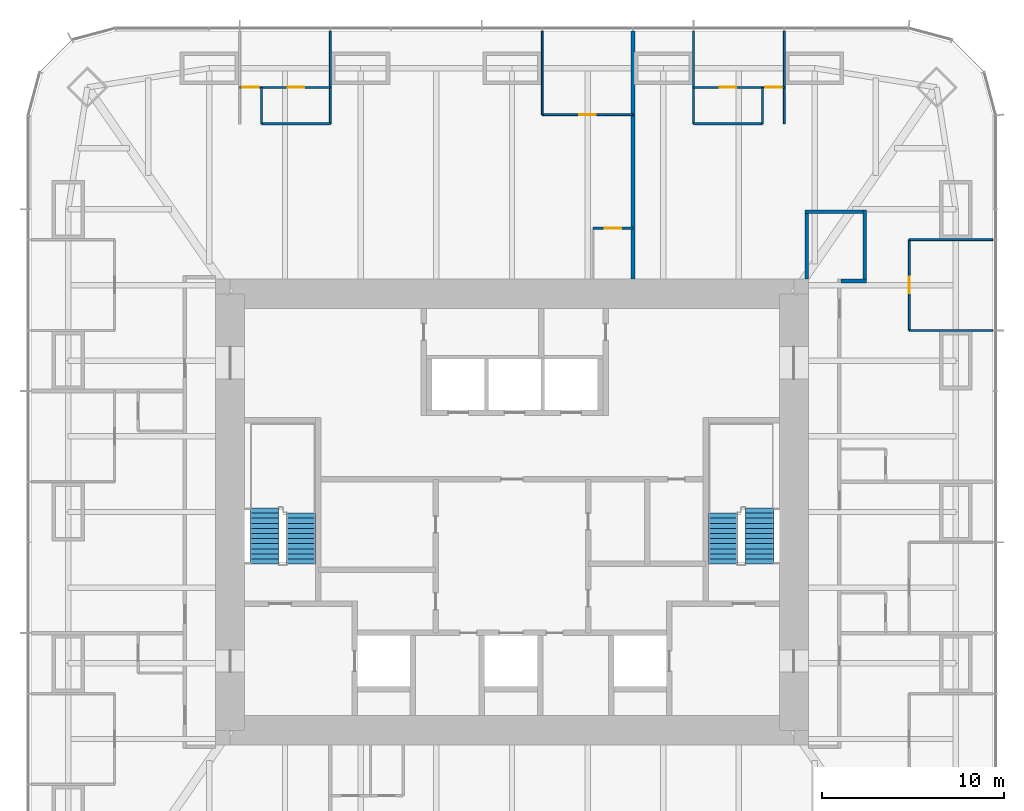
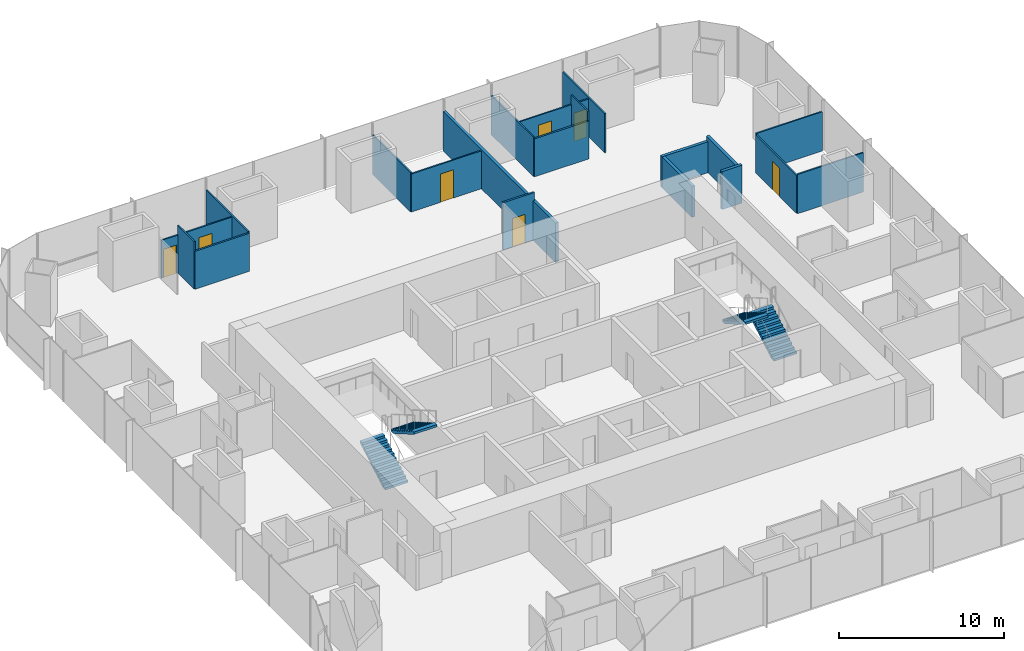
# One storey, part 11 of 12: 20 walls, 7 doors, 4 stair flights, 7 openings, 2 elements without a shape of their own.
"""IFC4 building model written with IfcOpenShell, lengths in metres."""

from ifc_helpers import new_model, si_unit, direction, frame, frame_2d, origin, place, context, subcontext, project, spatial, polyline, rectangle, outline, extrude, material, layer, layer_set, type_object, element, fill, aggregate, save


model = new_model("IFC4")

# Units and contexts
model_context = context("Model", 3, precision=1e-05, world=origin(), true_north=direction((0.0, 1.0)))
body_context = subcontext(model_context, "Body", "Model", "MODEL_VIEW")
ifc_project = project(units=[si_unit("LENGTHUNIT", "METRE"), si_unit("AREAUNIT", "SQUARE_METRE"), si_unit("VOLUMEUNIT", "CUBIC_METRE"), si_unit("PLANEANGLEUNIT", "RADIAN"), si_unit("MASSUNIT", "GRAM", prefix="KILO")], contexts=[model_context])

# Site, building, storey
site_placement = place(None, origin())
site = spatial("IfcSite", under=ifc_project, at=site_placement, CompositionType="ELEMENT")
building_placement = place(site_placement, origin())
building = spatial("IfcBuilding", under=site, at=building_placement, Name="Khuree Lantern Residences", CompositionType="ELEMENT")
storey_placement = place(building_placement, frame((0.0, 0.0, 210.75)))
storey = spatial("IfcBuildingStorey", under=building, at=storey_placement, Name="L52", CompositionType="ELEMENT", Elevation=210.75)

# Walls
ifc_material_1 = material(Name="Moisture-resistant gypsum board on steel studs", Category="steel")
ifc_layer_1 = layer(ifc_material_1, 0.125)
ifc_layer_set_1 = layer_set([ifc_layer_1], Name="BATHROOM WALL BTW125")
wall_type_1 = type_object("IfcWallType", Name="BATHROOM WALL BTW125", PredefinedType="PARTITIONING", material=ifc_layer_set_1)
for number, where, z_axis, x_axis, name in (
    (1, (13.77587890625, 21.344970703125, 0.0), (0.0, 0.0, 1.0), (-1.0, 0.0, 0.0), "L52 BATHROOM WALL 02"),
    (2, (-9.98388671875, 21.344970703125, 0.0), (0.0, 0.0, 1.0), (-1.0, 0.0, 0.0), "L52 BATHROOM WALL 03"),
):
    element("IfcWall", number, at=place(storey_placement, frame(where, z_axis=z_axis, x_axis=x_axis)), inside=storey, type_object=wall_type_1, Name=name, PredefinedType="PARTITIONING", context=body_context, shape_type="SweptSolid", body=[
        extrude(rectangle(XDim=3.7919921875, YDim=0.125, at=frame_2d((1.89599609375, 0.0))), origin(), (0.0, 0.0, 1.0), 2.81005859375),
    ])

# Wall, opening, door
wall_1_placement = place(storey_placement, frame((6.656005859375, 15.60009765625, 0.0), z_axis=(0.0, 0.0, 1.0), x_axis=(-1.0, 0.0, 0.0)))
wall_1 = element("IfcWall", 3, at=wall_1_placement, inside=storey, type_object=wall_type_1, Name="L52 BATHROOM WALL 03", PredefinedType="PARTITIONING", context=body_context, shape_type="SweptSolid", body=[
    extrude(rectangle(XDim=2.199951171875, YDim=0.125, at=frame_2d((1.10009765625, 0.0))), origin(), (0.0, 0.0, 1.0), 3.5),
])
opening_1_placement = place(wall_1_placement, frame((0.64990234375, 0.0, 0.0)))
opening_1 = element("IfcOpeningElement", 4, at=opening_1_placement, cuts=wall_1, Name="Opening 52-035", PredefinedType="OPENING", context=body_context, shape_type="SweptSolid", body=[
    extrude(rectangle(XDim=0.89990234375, YDim=2.10009765625, at=frame_2d((0.449951171875, 1.050048828125))), frame((0.0, 0.072509765625, 0.0), z_axis=(0.0, -1.0, 0.0), x_axis=(1.0, 0.0, 0.0)), (0.0, 0.0, 1.0), 0.14501953125),
])
ifc_material_2 = material(Name="Timber door leaf in hardwood frame", Category="wood")
door_type_1 = type_object("IfcDoorType", Name="BATHROOM DOOR 900X2100", OperationType="SINGLE_SWING_LEFT", PredefinedType="DOOR", material=ifc_material_2)
door_1_placement = place(opening_1_placement, origin())
door_1 = element("IfcDoor", 5, at=door_1_placement, inside=storey, type_object=door_type_1, Name="Bathroom door 52-035", OperationType="SINGLE_SWING_LEFT", OverallHeight=2.10009765625, OverallWidth=0.89990234375, PredefinedType="DOOR", context=body_context, shape_type="SweptSolid", body=[
    extrude(rectangle(XDim=0.89990234375, YDim=2.10009765625, at=frame_2d((0.449951171875, 1.050048828125))), frame((0.0, 0.02490234375, 0.0), z_axis=(0.0, -1.0, 0.0), x_axis=(1.0, 0.0, 0.0)), (0.0, 0.0, 1.0), 0.050048828125),
])
fill(opening_1, door_1)

# Walls
ifc_material_3 = material(Name="Gypsum board on steel studs", Category="steel")
ifc_layer_2 = layer(ifc_material_3, 0.199951171875)
ifc_layer_set_2 = layer_set([ifc_layer_2], Name="CORRIDOR WALL CRW200 EI 60")
wall_type_2 = type_object("IfcWallType", Name="CORRIDOR WALL CRW200 EI 60", PredefinedType="PARTITIONING", material=ifc_layer_set_2)
wall_2_placement = place(storey_placement, frame((18.10009765625, 12.699951171875, 0.0), z_axis=(0.0, 0.0, 1.0), x_axis=(1.0, 0.0, 0.0)))
element("IfcWall", 6, at=wall_2_placement, inside=storey, type_object=wall_type_2, Name="L52 RESIDENTS LOUNGE WALL", PredefinedType="PARTITIONING", context=body_context, shape_type="SweptSolid", body=[
    extrude(rectangle(XDim=1.39990234375, YDim=0.199951171875, at=frame_2d((0.699951171875, 0.0))), origin(), (0.0, 0.0, 1.0), 2.81005859375),
])
wall_3_placement = place(storey_placement, frame((19.39990234375, 12.60009765625, 0.0), z_axis=(0.0, 0.0, 1.0), x_axis=(0.0, 1.0, 0.0)))
element("IfcWall", 7, at=wall_3_placement, inside=storey, type_object=wall_type_2, Name="L52 RESIDENTS LOUNGE WALL", PredefinedType="PARTITIONING", context=body_context, shape_type="SweptSolid", body=[
    extrude(rectangle(XDim=4.0, YDim=0.199951171875, at=frame_2d((2.0, 0.0))), origin(), (0.0, 0.0, 1.0), 2.60009765625),
])
wall_4_placement = place(storey_placement, frame((19.300048828125, 16.5, 0.0), z_axis=(0.0, 0.0, 1.0), x_axis=(-1.0, 0.0, 0.0)))
element("IfcWall", 8, at=wall_4_placement, inside=storey, type_object=wall_type_2, Name="L52 RESIDENTS LOUNGE WALL", PredefinedType="PARTITIONING", context=body_context, shape_type="SweptSolid", body=[
    extrude(rectangle(XDim=3.199951171875, YDim=0.199951171875, at=frame_2d((1.60009765625, 0.0))), origin(), (0.0, 0.0, 1.0), 2.300048828125),
])
wall_5_placement = place(storey_placement, frame((16.199951171875, 16.60009765625, 0.0), z_axis=(0.0, 0.0, 1.0), x_axis=(0.0, -1.0, 0.0)))
element("IfcWall", 9, at=wall_5_placement, inside=storey, type_object=wall_type_2, Name="L52 RESIDENTS LOUNGE WALL", PredefinedType="PARTITIONING", context=body_context, shape_type="SweptSolid", body=[
    extrude(rectangle(XDim=3.800048828125, YDim=0.199951171875, at=frame_2d((1.89990234375, 0.0))), origin(), (0.0, 0.0, 1.0), 2.300048828125),
])
ifc_layer_3 = layer(ifc_material_3, 0.199951171875)
ifc_layer_set_3 = layer_set([ifc_layer_3], Name="DEMISING WALL DMW200 EI 90")
wall_type_3 = type_object("IfcWallType", Name="DEMISING WALL DMW200 EI 90", PredefinedType="PARTITIONING", material=ifc_layer_set_3)
wall_6_placement = place(storey_placement, frame((6.656005859375, 12.800048828125, 0.0), z_axis=(0.0, 0.0, 1.0), x_axis=(0.0, 1.0, 0.0)))
element("IfcWall", 10, at=wall_6_placement, inside=storey, type_object=wall_type_3, Name="L52 DEMISING WALL 03", PredefinedType="PARTITIONING", context=body_context, shape_type="SweptSolid", body=[
    extrude(rectangle(XDim=13.64990234375, YDim=0.199951171875, at=frame_2d((6.824951171875, 0.0))), origin(), (0.0, 0.0, 1.0), 2.909912109375),
])
ifc_layer_4 = layer(ifc_material_3, 0.10009765625)
ifc_layer_set_4 = layer_set([ifc_layer_4], Name="PARTITION PT100")
wall_type_4 = type_object("IfcWallType", Name="PARTITION PT100", PredefinedType="PARTITIONING", material=ifc_layer_set_4)
for number, where, z_axis, x_axis, name in (
    (11, (21.85009765625, 9.98388671875, 0.0), (0.0, 0.0, 1.0), (1.0, 0.0, 0.0), "L52 PARTITION 02"),
    (12, (21.85009765625, 14.97607421875, 0.0), (0.0, 0.0, 1.0), (1.0, 0.0, 0.0), "L52 PARTITION 02"),
):
    element("IfcWall", number, at=place(storey_placement, frame(where, z_axis=z_axis, x_axis=x_axis)), inside=storey, type_object=wall_type_4, Name=name, PredefinedType="PARTITIONING", context=body_context, shape_type="SweptSolid", body=[
        extrude(rectangle(XDim=4.599853515625, YDim=0.10009765625, at=frame_2d((2.2998046875, 0.0))), origin(), (0.0, 0.0, 1.0), 2.909912109375),
    ])
for number, where, z_axis, x_axis, name in (
    (13, (14.97607421875, 21.344970703125, 0.0), (0.0, 0.0, 1.0), (0.0, 1.0, 0.0), "L52 PARTITION 02"),
    (14, (9.98388671875, 21.344970703125, 0.0), (0.0, 0.0, 1.0), (0.0, 1.0, 0.0), "L52 PARTITION 02"),
):
    element("IfcWall", number, at=place(storey_placement, frame(where, z_axis=z_axis, x_axis=x_axis)), inside=storey, type_object=wall_type_4, Name=name, PredefinedType="PARTITIONING", context=body_context, shape_type="SweptSolid", body=[
        extrude(rectangle(XDim=5.10498046875, YDim=0.10009765625, at=frame_2d((2.552490234375, 0.0))), origin(), (0.0, 0.0, 1.0), 2.909912109375),
    ])
wall_7_placement = place(storey_placement, frame((1.6640625, 21.85009765625, 0.0), z_axis=(0.0, 0.0, 1.0), x_axis=(0.0, 1.0, 0.0)))
element("IfcWall", 15, at=wall_7_placement, inside=storey, type_object=wall_type_4, Name="L52 PARTITION 03", PredefinedType="PARTITIONING", context=body_context, shape_type="SweptSolid", body=[
    extrude(rectangle(XDim=4.599853515625, YDim=0.10009765625, at=frame_2d((2.2998046875, 0.0))), origin(), (0.0, 0.0, 1.0), 2.909912109375),
])
wall_8_placement = place(storey_placement, frame((-9.98388671875, 21.344970703125, 0.0), z_axis=(0.0, 0.0, 1.0), x_axis=(0.0, 1.0, 0.0)))
element("IfcWall", 16, at=wall_8_placement, inside=storey, type_object=wall_type_4, Name="L52 PARTITION 03", PredefinedType="PARTITIONING", context=body_context, shape_type="SweptSolid", body=[
    extrude(rectangle(XDim=5.10498046875, YDim=0.10009765625, at=frame_2d((2.552490234375, 0.0))), origin(), (0.0, 0.0, 1.0), 2.909912109375),
])

# Wall, opening, door
wall_9_placement = place(storey_placement, frame((21.85009765625, 9.98388671875, 0.0), z_axis=(0.0, 0.0, 1.0), x_axis=(0.0, 1.0, 0.0)))
wall_9 = element("IfcWall", 17, at=wall_9_placement, inside=storey, type_object=wall_type_4, Name="L52 PARTITION 02", PredefinedType="PARTITIONING", context=body_context, shape_type="SweptSolid", body=[
    extrude(rectangle(XDim=4.9921875, YDim=0.10009765625, at=frame_2d((2.49609375, 0.0))), origin(), (0.0, 0.0, 1.0), 2.81005859375),
])
opening_2_placement = place(wall_9_placement, frame((2.0458984375, 0.0, 0.0)))
opening_2 = element("IfcOpeningElement", 18, at=opening_2_placement, cuts=wall_9, Name="Opening 52-026", PredefinedType="OPENING", context=body_context, shape_type="SweptSolid", body=[
    extrude(rectangle(XDim=0.89990234375, YDim=2.10009765625, at=frame_2d((0.449951171875, 1.050048828125))), frame((0.0, 0.06005859375, 0.0), z_axis=(0.0, -1.0, 0.0), x_axis=(1.0, 0.0, 0.0)), (0.0, 0.0, 1.0), 0.1201171875),
])
door_type_2 = type_object("IfcDoorType", Name="BEDROOM DOOR 900X2100", OperationType="SINGLE_SWING_LEFT", PredefinedType="DOOR", material=ifc_material_2)
door_2_placement = place(opening_2_placement, origin())
door_2 = element("IfcDoor", 19, at=door_2_placement, inside=storey, type_object=door_type_2, Name="Bedroom door 52-026", OperationType="SINGLE_SWING_LEFT", OverallHeight=2.10009765625, OverallWidth=0.89990234375, PredefinedType="DOOR", context=body_context, shape_type="SweptSolid", body=[
    extrude(rectangle(XDim=0.89990234375, YDim=2.10009765625, at=frame_2d((0.449951171875, 1.050048828125))), frame((0.0, 0.02490234375, 0.0), z_axis=(0.0, -1.0, 0.0), x_axis=(1.0, 0.0, 0.0)), (0.0, 0.0, 1.0), 0.050048828125),
])
fill(opening_2, door_2)

# Wall, openings, doors
wall_10_placement = place(storey_placement, frame((14.97607421875, 23.344970703125, 0.0), z_axis=(0.0, 0.0, 1.0), x_axis=(-1.0, 0.0, 0.0)))
wall_10 = element("IfcWall", 20, at=wall_10_placement, inside=storey, type_object=wall_type_4, Name="L52 PARTITION 02", PredefinedType="PARTITIONING", context=body_context, shape_type="SweptSolid", body=[
    extrude(rectangle(XDim=4.9921875, YDim=0.10009765625, at=frame_2d((2.49609375, 0.0))), origin(), (0.0, 0.0, 1.0), 2.81005859375),
])
opening_3_placement = place(wall_10_placement, frame((0.14990234375, 0.0, 0.0)))
opening_3 = element("IfcOpeningElement", 21, at=opening_3_placement, cuts=wall_10, Name="Opening 52-027", PredefinedType="OPENING", context=body_context, shape_type="SweptSolid", body=[
    extrude(rectangle(XDim=0.89990234375, YDim=2.10009765625, at=frame_2d((0.449951171875, 1.050048828125))), frame((0.0, 0.06005859375, 0.0), z_axis=(0.0, -1.0, 0.0), x_axis=(1.0, 0.0, 0.0)), (0.0, 0.0, 1.0), 0.1201171875),
])
opening_4_placement = place(wall_10_placement, frame((2.64599609375, 0.0, 0.0)))
opening_4 = element("IfcOpeningElement", 22, at=opening_4_placement, cuts=wall_10, Name="Opening 52-028", PredefinedType="OPENING", context=body_context, shape_type="SweptSolid", body=[
    extrude(rectangle(XDim=0.89990234375, YDim=2.10009765625, at=frame_2d((0.449951171875, 1.050048828125))), frame((0.0, 0.06005859375, 0.0), z_axis=(0.0, -1.0, 0.0), x_axis=(1.0, 0.0, 0.0)), (0.0, 0.0, 1.0), 0.1201171875),
])
door_3_placement = place(opening_4_placement, origin())
door_3 = element("IfcDoor", 23, at=door_3_placement, inside=storey, type_object=door_type_1, Name="Bathroom door 52-028", OperationType="SINGLE_SWING_LEFT", OverallHeight=2.10009765625, OverallWidth=0.89990234375, PredefinedType="DOOR", context=body_context, shape_type="SweptSolid", body=[
    extrude(rectangle(XDim=0.89990234375, YDim=2.10009765625, at=frame_2d((0.449951171875, 1.050048828125))), frame((0.0, 0.02490234375, 0.0), z_axis=(0.0, -1.0, 0.0), x_axis=(1.0, 0.0, 0.0)), (0.0, 0.0, 1.0), 0.050048828125),
])
fill(opening_4, door_3)
door_4_placement = place(opening_3_placement, origin())
door_4 = element("IfcDoor", 24, at=door_4_placement, inside=storey, type_object=door_type_2, Name="Bedroom door 52-027", OperationType="SINGLE_SWING_LEFT", OverallHeight=2.10009765625, OverallWidth=0.89990234375, PredefinedType="DOOR", context=body_context, shape_type="SweptSolid", body=[
    extrude(rectangle(XDim=0.89990234375, YDim=2.10009765625, at=frame_2d((0.449951171875, 1.050048828125))), frame((0.0, 0.02490234375, 0.0), z_axis=(0.0, -1.0, 0.0), x_axis=(1.0, 0.0, 0.0)), (0.0, 0.0, 1.0), 0.050048828125),
])
fill(opening_3, door_4)

# Wall
wall_11_placement = place(storey_placement, frame((13.77587890625, 21.344970703125, 0.0), z_axis=(0.0, 0.0, 1.0), x_axis=(0.0, 1.0, 0.0)))
element("IfcWall", 25, at=wall_11_placement, inside=storey, type_object=wall_type_4, Name="L52 PARTITION 02", PredefinedType="PARTITIONING", context=body_context, shape_type="SweptSolid", body=[
    extrude(rectangle(XDim=2.0, YDim=0.10009765625, at=frame_2d((1.0, 0.0))), origin(), (0.0, 0.0, 1.0), 3.5),
])

# Wall, opening, door
wall_12_placement = place(storey_placement, frame((6.656005859375, 21.85009765625, 0.0), z_axis=(0.0, 0.0, 1.0), x_axis=(-1.0, 0.0, 0.0)))
wall_12 = element("IfcWall", 26, at=wall_12_placement, inside=storey, type_object=wall_type_4, Name="L52 PARTITION 03", PredefinedType="PARTITIONING", context=body_context, shape_type="SweptSolid", body=[
    extrude(rectangle(XDim=4.991943359375, YDim=0.10009765625, at=frame_2d((2.49609375, 0.0))), origin(), (0.0, 0.0, 1.0), 2.81005859375),
])
opening_5_placement = place(wall_12_placement, frame((2.0458984375, 0.0, 0.0)))
opening_5 = element("IfcOpeningElement", 27, at=opening_5_placement, cuts=wall_12, Name="Opening 52-031", PredefinedType="OPENING", context=body_context, shape_type="SweptSolid", body=[
    extrude(rectangle(XDim=0.89990234375, YDim=2.10009765625, at=frame_2d((0.449951171875, 1.050048828125))), frame((0.0, 0.06005859375, 0.0), z_axis=(0.0, -1.0, 0.0), x_axis=(1.0, 0.0, 0.0)), (0.0, 0.0, 1.0), 0.1201171875),
])
door_5_placement = place(opening_5_placement, origin())
door_5 = element("IfcDoor", 28, at=door_5_placement, inside=storey, type_object=door_type_2, Name="Bedroom door 52-031", OperationType="SINGLE_SWING_LEFT", OverallHeight=2.10009765625, OverallWidth=0.89990234375, PredefinedType="DOOR", context=body_context, shape_type="SweptSolid", body=[
    extrude(rectangle(XDim=0.89990234375, YDim=2.10009765625, at=frame_2d((0.449951171875, 1.050048828125))), frame((0.0, 0.02490234375, 0.0), z_axis=(0.0, -1.0, 0.0), x_axis=(1.0, 0.0, 0.0)), (0.0, 0.0, 1.0), 0.050048828125),
])
fill(opening_5, door_5)

# Wall, openings, doors
wall_13_placement = place(storey_placement, frame((-9.98388671875, 23.344970703125, 0.0), z_axis=(0.0, 0.0, 1.0), x_axis=(-1.0, 0.0, 0.0)))
wall_13 = element("IfcWall", 29, at=wall_13_placement, inside=storey, type_object=wall_type_4, Name="L52 PARTITION 03", PredefinedType="PARTITIONING", context=body_context, shape_type="SweptSolid", body=[
    extrude(rectangle(XDim=4.9921875, YDim=0.10009765625, at=frame_2d((2.49609375, 0.0))), origin(), (0.0, 0.0, 1.0), 2.81005859375),
])
opening_6_placement = place(wall_13_placement, frame((3.94189453125, 0.0, 0.0)))
opening_6 = element("IfcOpeningElement", 30, at=opening_6_placement, cuts=wall_13, Name="Opening 52-032", PredefinedType="OPENING", context=body_context, shape_type="SweptSolid", body=[
    extrude(rectangle(XDim=0.89990234375, YDim=2.10009765625, at=frame_2d((0.449951171875, 1.050048828125))), frame((0.0, 0.06005859375, 0.0), z_axis=(0.0, -1.0, 0.0), x_axis=(1.0, 0.0, 0.0)), (0.0, 0.0, 1.0), 0.1201171875),
])
opening_7_placement = place(wall_13_placement, frame((1.446044921875, 0.0, 0.0)))
opening_7 = element("IfcOpeningElement", 31, at=opening_7_placement, cuts=wall_13, Name="Opening 52-033", PredefinedType="OPENING", context=body_context, shape_type="SweptSolid", body=[
    extrude(rectangle(XDim=0.89990234375, YDim=2.10009765625, at=frame_2d((0.449951171875, 1.050048828125))), frame((0.0, 0.06005859375, 0.0), z_axis=(0.0, -1.0, 0.0), x_axis=(1.0, 0.0, 0.0)), (0.0, 0.0, 1.0), 0.1201171875),
])
door_6_placement = place(opening_7_placement, origin())
door_6 = element("IfcDoor", 32, at=door_6_placement, inside=storey, type_object=door_type_1, Name="Bathroom door 52-033", OperationType="SINGLE_SWING_LEFT", OverallHeight=2.10009765625, OverallWidth=0.89990234375, PredefinedType="DOOR", context=body_context, shape_type="SweptSolid", body=[
    extrude(rectangle(XDim=0.89990234375, YDim=2.10009765625, at=frame_2d((0.449951171875, 1.050048828125))), frame((0.0, 0.02490234375, 0.0), z_axis=(0.0, -1.0, 0.0), x_axis=(1.0, 0.0, 0.0)), (0.0, 0.0, 1.0), 0.050048828125),
])
fill(opening_7, door_6)
door_7_placement = place(opening_6_placement, origin())
door_7 = element("IfcDoor", 33, at=door_7_placement, inside=storey, type_object=door_type_2, Name="Bedroom door 52-032", OperationType="SINGLE_SWING_LEFT", OverallHeight=2.10009765625, OverallWidth=0.89990234375, PredefinedType="DOOR", context=body_context, shape_type="SweptSolid", body=[
    extrude(rectangle(XDim=0.89990234375, YDim=2.10009765625, at=frame_2d((0.449951171875, 1.050048828125))), frame((0.0, 0.02490234375, 0.0), z_axis=(0.0, -1.0, 0.0), x_axis=(1.0, 0.0, 0.0)), (0.0, 0.0, 1.0), 0.050048828125),
])
fill(opening_6, door_7)

# Wall
wall_14_placement = place(storey_placement, frame((-13.77587890625, 21.344970703125, 0.0), z_axis=(0.0, 0.0, 1.0), x_axis=(0.0, 1.0, 0.0)))
element("IfcWall", 34, at=wall_14_placement, inside=storey, type_object=wall_type_4, Name="L52 PARTITION 03", PredefinedType="PARTITIONING", context=body_context, shape_type="SweptSolid", body=[
    extrude(rectangle(XDim=2.0, YDim=0.10009765625, at=frame_2d((1.0, 0.0))), origin(), (0.0, 0.0, 1.0), 3.5),
])

# Stair, stair flights
ifc_material_4 = material(Name="Concrete C40/50", Category="concrete")
stair_type = type_object("IfcStairType", Name="STAIR ST1 HALF TURN 3600", PredefinedType="HALF_TURN_STAIR", material=ifc_material_4)
stair_1_placement = place(storey_placement, origin())
stair_1 = element("IfcStair", 35, at=stair_1_placement, inside=storey, type_object=stair_type, Name="Stair ST1", PredefinedType="HALF_TURN_STAIR")
stair_flight_type = type_object("IfcStairFlightType", Name="STAIR FLIGHT SF1 1600", PredefinedType="STRAIGHT", material=ifc_material_4)
stair_flight_1_placement = place(storey_placement, frame((-13.60009765625, -2.860107421875, 0.0), z_axis=(0.0, 0.0, 1.0), x_axis=(0.0, 1.0, 0.0)))
stair_flight_1 = element("IfcStairFlight", 36, at=stair_flight_1_placement, type_object=stair_flight_type, Name="ST1 flight 1", NumberOfRisers=12, NumberOfTreads=11, PredefinedType="STRAIGHT", RiserHeight=0.163043478, TreadLength=0.28, context=body_context, shape_type="SweptSolid", body=[
    extrude(outline(polyline([(0.0, 0.0), (0.0, 0.1630859375), (0.280029296875, 0.1630859375), (0.280029296875, 0.326171875), (0.56005859375, 0.326171875), (0.56005859375, 0.489013671875), (0.840087890625, 0.489013671875), (0.840087890625, 0.652099609375), (1.1201171875, 0.652099609375), (1.1201171875, 0.815185546875), (1.39990234375, 0.815185546875), (1.39990234375, 0.978271484375), (1.679931640625, 0.978271484375), (1.679931640625, 1.141357421875), (1.9599609375, 1.141357421875), (1.9599609375, 1.304443359375), (2.239990234375, 1.304443359375), (2.239990234375, 1.46728515625), (2.52001953125, 1.46728515625), (2.52001953125, 1.63037109375), (2.800048828125, 1.63037109375), (2.800048828125, 1.79345703125), (3.080078125, 1.79345703125), (3.080078125, 1.95654296875), (3.080078125, 1.6201171875), (0.2978515625, 0.0), (0.0, 0.0)])), frame((0.0, 0.800048828125, 0.0), z_axis=(0.0, -1.0, 0.0), x_axis=(1.0, 0.0, 0.0)), (0.0, 0.0, 1.0), 1.60009765625),
])
stair_flight_2_placement = place(storey_placement, frame((-11.60009765625, -0.06005859375, 1.95654296875), z_axis=(0.0, 0.0, 1.0), x_axis=(0.0, -1.0, 0.0)))
stair_flight_2 = element("IfcStairFlight", 37, at=stair_flight_2_placement, type_object=stair_flight_type, Name="ST1 flight 2", NumberOfRisers=11, NumberOfTreads=10, PredefinedType="STRAIGHT", RiserHeight=0.163043478, TreadLength=0.28, context=body_context, shape_type="SweptSolid", body=[
    extrude(outline(polyline([(0.0, 0.0), (0.0, 0.1630859375), (0.280029296875, 0.1630859375), (0.280029296875, 0.326171875), (0.56005859375, 0.326171875), (0.56005859375, 0.489013671875), (0.840087890625, 0.489013671875), (0.840087890625, 0.652099609375), (1.1201171875, 0.652099609375), (1.1201171875, 0.815185546875), (1.39990234375, 0.815185546875), (1.39990234375, 0.978271484375), (1.679931640625, 0.978271484375), (1.679931640625, 1.141357421875), (1.9599609375, 1.141357421875), (1.9599609375, 1.304443359375), (2.239990234375, 1.304443359375), (2.239990234375, 1.46728515625), (2.52001953125, 1.46728515625), (2.52001953125, 1.63037109375), (2.800048828125, 1.63037109375), (2.800048828125, 1.79345703125), (2.800048828125, 1.45703125), (0.2978515625, 0.0), (0.0, 0.0)])), frame((0.0, 0.800048828125, 0.0), z_axis=(0.0, -1.0, 0.0), x_axis=(1.0, 0.0, 0.0)), (0.0, 0.0, 1.0), 1.60009765625),
])
aggregate(stair_1, [stair_flight_1, stair_flight_2])

stair_2_placement = place(storey_placement, origin())
stair_2 = element("IfcStair", 38, at=stair_2_placement, inside=storey, type_object=stair_type, Name="Stair ST2", PredefinedType="HALF_TURN_STAIR")
stair_flight_3_placement = place(storey_placement, frame((13.60009765625, -2.860107421875, 0.0), z_axis=(0.0, 0.0, 1.0), x_axis=(0.0, 1.0, 0.0)))
stair_flight_3 = element("IfcStairFlight", 39, at=stair_flight_3_placement, type_object=stair_flight_type, Name="ST2 flight 1", NumberOfRisers=12, NumberOfTreads=11, PredefinedType="STRAIGHT", RiserHeight=0.163043478, TreadLength=0.28, context=body_context, shape_type="SweptSolid", body=[
    extrude(outline(polyline([(0.0, 0.0), (0.0, 0.1630859375), (0.280029296875, 0.1630859375), (0.280029296875, 0.326171875), (0.56005859375, 0.326171875), (0.56005859375, 0.489013671875), (0.840087890625, 0.489013671875), (0.840087890625, 0.652099609375), (1.1201171875, 0.652099609375), (1.1201171875, 0.815185546875), (1.39990234375, 0.815185546875), (1.39990234375, 0.978271484375), (1.679931640625, 0.978271484375), (1.679931640625, 1.141357421875), (1.9599609375, 1.141357421875), (1.9599609375, 1.304443359375), (2.239990234375, 1.304443359375), (2.239990234375, 1.46728515625), (2.52001953125, 1.46728515625), (2.52001953125, 1.63037109375), (2.800048828125, 1.63037109375), (2.800048828125, 1.79345703125), (3.080078125, 1.79345703125), (3.080078125, 1.95654296875), (3.080078125, 1.6201171875), (0.2978515625, 0.0), (0.0, 0.0)])), frame((0.0, 0.800048828125, 0.0), z_axis=(0.0, -1.0, 0.0), x_axis=(1.0, 0.0, 0.0)), (0.0, 0.0, 1.0), 1.60009765625),
])
stair_flight_4_placement = place(storey_placement, frame((11.60009765625, -0.06005859375, 1.95654296875), z_axis=(0.0, 0.0, 1.0), x_axis=(0.0, -1.0, 0.0)))
stair_flight_4 = element("IfcStairFlight", 40, at=stair_flight_4_placement, type_object=stair_flight_type, Name="ST2 flight 2", NumberOfRisers=11, NumberOfTreads=10, PredefinedType="STRAIGHT", RiserHeight=0.163043478, TreadLength=0.28, context=body_context, shape_type="SweptSolid", body=[
    extrude(outline(polyline([(0.0, 0.0), (0.0, 0.1630859375), (0.280029296875, 0.1630859375), (0.280029296875, 0.326171875), (0.56005859375, 0.326171875), (0.56005859375, 0.489013671875), (0.840087890625, 0.489013671875), (0.840087890625, 0.652099609375), (1.1201171875, 0.652099609375), (1.1201171875, 0.815185546875), (1.39990234375, 0.815185546875), (1.39990234375, 0.978271484375), (1.679931640625, 0.978271484375), (1.679931640625, 1.141357421875), (1.9599609375, 1.141357421875), (1.9599609375, 1.304443359375), (2.239990234375, 1.304443359375), (2.239990234375, 1.46728515625), (2.52001953125, 1.46728515625), (2.52001953125, 1.63037109375), (2.800048828125, 1.63037109375), (2.800048828125, 1.79345703125), (2.800048828125, 1.45703125), (0.2978515625, 0.0), (0.0, 0.0)])), frame((0.0, 0.800048828125, 0.0), z_axis=(0.0, -1.0, 0.0), x_axis=(1.0, 0.0, 0.0)), (0.0, 0.0, 1.0), 1.60009765625),
])
aggregate(stair_2, [stair_flight_3, stair_flight_4])

save(model, "model.ifc")
